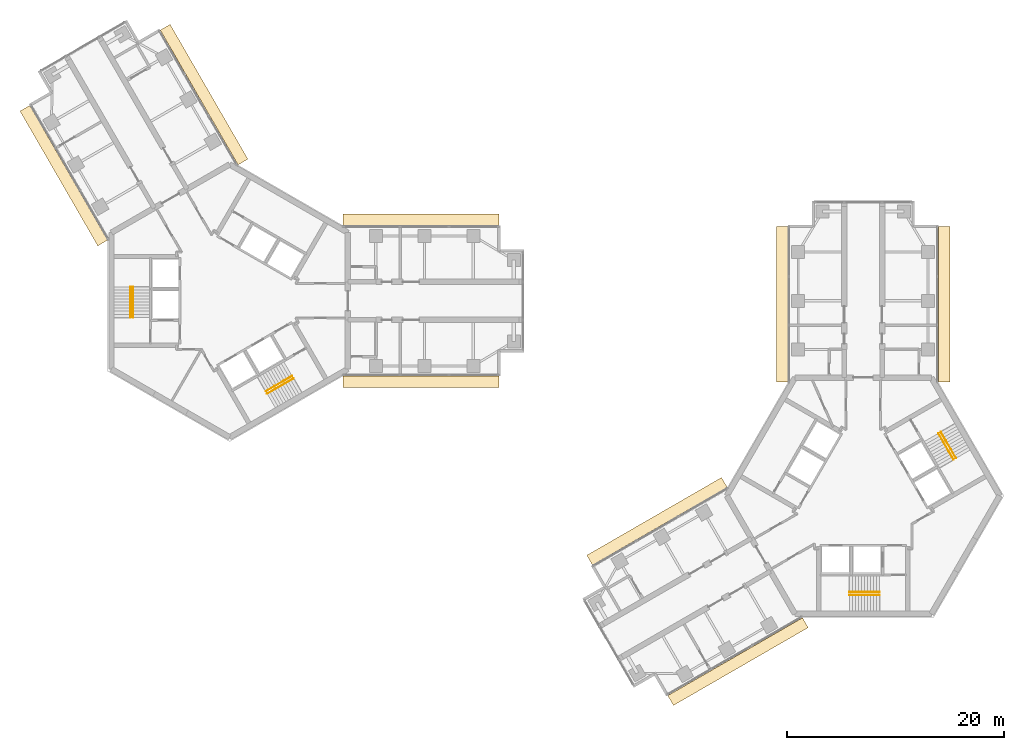
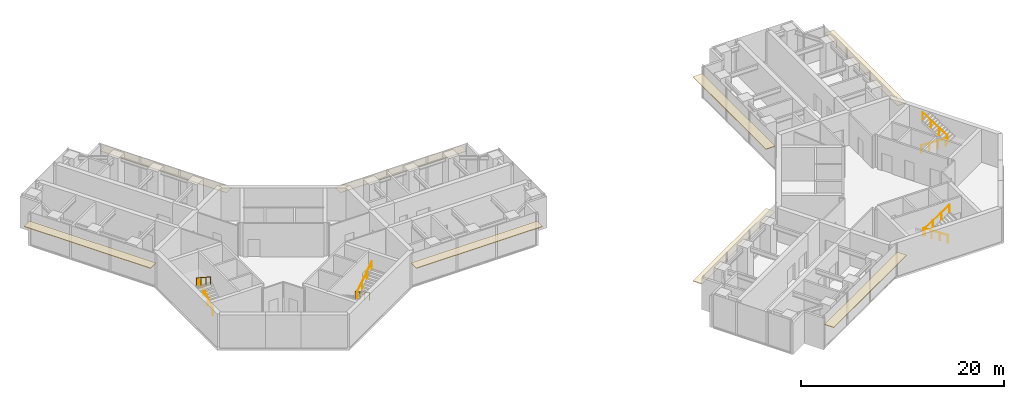
# One storey, part 17 of 17: 8 coverings, 8 railings.
"""IFC4 building model written with IfcOpenShell, lengths in metres."""

from ifc_helpers import new_model, si_unit, direction, frame, origin, origin_2d, place, context, subcontext, project, spatial, rectangle, circle, extrude, material, layer, layer_set, type_object, element, save


model = new_model("IFC4")

# Units and contexts
model_context = context("Model", 3, precision=1e-05, world=origin(), true_north=direction((0.0, 1.0)))
body_context = subcontext(model_context, "Body", "Model", "MODEL_VIEW")
ifc_project = project(units=[si_unit("LENGTHUNIT", "METRE"), si_unit("AREAUNIT", "SQUARE_METRE"), si_unit("VOLUMEUNIT", "CUBIC_METRE"), si_unit("PLANEANGLEUNIT", "RADIAN"), si_unit("MASSUNIT", "GRAM", prefix="KILO")], contexts=[model_context])

# Site, building, storey
site_placement = place(None, origin())
site = spatial("IfcSite", under=ifc_project, at=site_placement, CompositionType="ELEMENT")
building_placement = place(site_placement, origin())
building = spatial("IfcBuilding", under=site, at=building_placement, Name="Upepo Twin Towers", CompositionType="ELEMENT")
storey_placement = place(building_placement, frame((0.0, 0.0, 174.5)))
storey = spatial("IfcBuildingStorey", under=building, at=storey_placement, Name="L42", CompositionType="ELEMENT", Elevation=174.5)

# Coverings
ifc_material_1 = material(Name="Anodised aluminium, pale silver", Category="aluminium")
ifc_layer = layer(ifc_material_1, 0.080078125)
ifc_layer_set = layer_set([ifc_layer], Name="Brise-soleil blade 1050 pale aluminium")
covering_type = type_object("IfcCoveringType", Name="Brise-soleil blade 1050 pale aluminium", PredefinedType="USERDEFINED", material=ifc_layer_set)
for number, where, z_axis, x_axis, name in (
    (1, (17.66845703125, 7.4775390625, 2.909912109375), (0.0, 0.0, 1.0), (1.0, 0.0, 0.0), "T1 L42 wing A brise-soleil L"),
    (2, (17.66845703125, -7.4775390625, 2.909912109375), (0.0, 0.0, 1.0), (1.0, 0.0, 0.0), "T1 L42 wing A brise-soleil R"),
    (3, (-15.31005859375, 11.562744140625, 2.909912109375), (0.0, 0.0, 1.0), (-0.50000003023, 0.866025386331, 0.0), "T1 L42 wing B brise-soleil L"),
    (4, (-2.358642578125, 19.040283203125, 2.909912109375), (0.0, 0.0, 1.0), (-0.50000003023, 0.866025386331, 0.0), "T1 L42 wing B brise-soleil R"),
    (5, (51.0224609375, -0.33154296875, 2.909912109375), (0.0, 0.0, 1.0), (0.0, 1.0, 0.0), "T2 L42 wing A brise-soleil L"),
    (6, (65.9775390625, -0.33154296875, 2.909912109375), (0.0, 0.0, 1.0), (0.0, 1.0, 0.0), "T2 L42 wing A brise-soleil R"),
    (7, (46.937255859375, -33.31005859375, 2.909912109375), (0.0, 0.0, 1.0), (-0.866025386331, -0.50000003023, 0.0), "T2 L42 wing B brise-soleil L"),
    (8, (39.459716796875, -20.358642578125, 2.909912109375), (0.0, 0.0, 1.0), (-0.866025386331, -0.50000003023, 0.0), "T2 L42 wing B brise-soleil R"),
):
    element("IfcCovering", number, at=place(storey_placement, frame(where, z_axis=z_axis, x_axis=x_axis)), inside=storey, type_object=covering_type, Name=name, ObjectType="SUNSHADE", PredefinedType="USERDEFINED", context=body_context, shape_type="SweptSolid", body=[
        extrude(rectangle(XDim=14.36279296875, YDim=1.050048828125, at=origin_2d()), origin(), (0.0, 0.0, 1.0), 0.080078125),
    ])

# Railings
ifc_material_2 = material(Name="Stainless steel", Category="steel")
railing_type = type_object("IfcRailingType", Name="Stair handrail 900", PredefinedType="HANDRAIL", material=ifc_material_2)
railing_1_placement = place(storey_placement, frame((-8.89990234375, -1.52001953125, 0.181884765625)))
element("IfcRailing", 9, at=railing_1_placement, inside=storey, type_object=railing_type, Name="T1 stair S1 L42 handrail 1", PredefinedType="HANDRAIL", context=body_context, shape_type="SweptSolid", body=[
    extrude(circle(Radius=0.02392578125, at=origin_2d()), frame((0.0, 0.0, 0.8759765625), z_axis=(0.0, 0.838705829183, 0.544584733623), x_axis=(-1.0, 0.0, 0.0)), (0.0, 0.0, 1.0), 3.338623046875),
    extrude(circle(Radius=0.02099609375, at=origin_2d()), origin(), (0.0, 0.0, 1.0), 0.851806640625),
    extrude(circle(Radius=0.02099609375, at=origin_2d()), frame((0.0, 0.933349609375, 0.60595703125)), (0.0, 0.0, 1.0), 0.851806640625),
    extrude(circle(Radius=0.02099609375, at=origin_2d()), frame((0.0, 1.86669921875, 1.212158203125)), (0.0, 0.0, 1.0), 0.851806640625),
    extrude(circle(Radius=0.02099609375, at=origin_2d()), frame((0.0, 2.800048828125, 1.818115234375)), (0.0, 0.0, 1.0), 0.851806640625),
])
railing_2_placement = place(storey_placement, frame((-9.158447265625, 1.280029296875, 2.181884765625)))
element("IfcRailing", 10, at=railing_2_placement, inside=storey, type_object=railing_type, Name="T1 stair S1 L42 handrail 2", PredefinedType="HANDRAIL", context=body_context, shape_type="SweptSolid", body=[
    extrude(circle(Radius=0.02392578125, at=origin_2d()), frame((0.0, 0.0, 0.8759765625), z_axis=(0.0, -0.838705829183, 0.544584733623), x_axis=(1.0, 0.0, 0.0)), (0.0, 0.0, 1.0), 3.338623046875),
    extrude(circle(Radius=0.02099609375, at=origin_2d()), origin(), (0.0, 0.0, 1.0), 0.851806640625),
    extrude(circle(Radius=0.02099609375, at=origin_2d()), frame((0.0, -0.933349609375, 0.60595703125)), (0.0, 0.0, 1.0), 0.851806640625),
    extrude(circle(Radius=0.02099609375, at=origin_2d()), frame((0.0, -1.86669921875, 1.212158203125)), (0.0, 0.0, 1.0), 0.851806640625),
    extrude(circle(Radius=0.02099609375, at=origin_2d()), frame((0.0, -2.800048828125, 1.818115234375)), (0.0, 0.0, 1.0), 0.851806640625),
])
railing_3_placement = place(storey_placement, frame((5.766357421875, -6.947509765625, 0.181884765625)))
element("IfcRailing", 11, at=railing_3_placement, inside=storey, type_object=railing_type, Name="T1 stair S2 L42 handrail 1", PredefinedType="HANDRAIL", context=body_context, shape_type="SweptSolid", body=[
    extrude(circle(Radius=0.02392578125, at=origin_2d()), frame((0.0, 0.0, 0.8759765625), z_axis=(-0.726314030065, -0.419392968428, 0.544589265193), x_axis=(0.500049511043, -0.865996816683, 0.0)), (0.0, 0.0, 1.0), 3.338623046875),
    extrude(circle(Radius=0.02099609375, at=origin_2d()), origin(), (0.0, 0.0, 1.0), 0.851806640625),
    extrude(circle(Radius=0.02099609375, at=origin_2d()), frame((-0.808349609375, -0.466796875, 0.60595703125)), (0.0, 0.0, 1.0), 0.851806640625),
    extrude(circle(Radius=0.02099609375, at=origin_2d()), frame((-1.616455078125, -0.933349609375, 1.212158203125)), (0.0, 0.0, 1.0), 0.851806640625),
    extrude(circle(Radius=0.02099609375, at=origin_2d()), frame((-2.4248046875, -1.400146484375, 1.818115234375)), (0.0, 0.0, 1.0), 0.851806640625),
])
railing_4_placement = place(storey_placement, frame((3.470703125, -8.5712890625, 2.181884765625)))
element("IfcRailing", 12, at=railing_4_placement, inside=storey, type_object=railing_type, Name="T1 stair S2 L42 handrail 2", PredefinedType="HANDRAIL", context=body_context, shape_type="SweptSolid", body=[
    extrude(circle(Radius=0.02392578125, at=origin_2d()), frame((0.0, 0.0, 0.8759765625), z_axis=(0.726336304947, 0.419332699614, 0.544605966869), x_axis=(-0.49998411664, 0.866034573852, 0.0)), (0.0, 0.0, 1.0), 3.33837890625),
    extrude(circle(Radius=0.02099609375, at=origin_2d()), origin(), (0.0, 0.0, 1.0), 0.851806640625),
    extrude(circle(Radius=0.02099609375, at=origin_2d()), frame((0.808349609375, 0.466552734375, 0.60595703125)), (0.0, 0.0, 1.0), 0.851806640625),
    extrude(circle(Radius=0.02099609375, at=origin_2d()), frame((1.616455078125, 0.933349609375, 1.212158203125)), (0.0, 0.0, 1.0), 0.851806640625),
    extrude(circle(Radius=0.02099609375, at=origin_2d()), frame((2.4248046875, 1.39990234375, 1.818115234375)), (0.0, 0.0, 1.0), 0.851806640625),
])
railing_5_placement = place(storey_placement, frame((60.02001953125, -26.89990234375, 0.181884765625)))
element("IfcRailing", 13, at=railing_5_placement, inside=storey, type_object=railing_type, Name="T2 stair S1 L42 handrail 1", PredefinedType="HANDRAIL", context=body_context, shape_type="SweptSolid", body=[
    extrude(circle(Radius=0.02392578125, at=origin_2d()), frame((0.0, 0.0, 0.8759765625), z_axis=(-0.838705829183, 0.0, 0.544584733623), x_axis=(0.0, -1.0, 0.0)), (0.0, 0.0, 1.0), 3.338623046875),
    extrude(circle(Radius=0.02099609375, at=origin_2d()), origin(), (0.0, 0.0, 1.0), 0.851806640625),
    extrude(circle(Radius=0.02099609375, at=origin_2d()), frame((-0.933349609375, 0.0, 0.60595703125)), (0.0, 0.0, 1.0), 0.851806640625),
    extrude(circle(Radius=0.02099609375, at=origin_2d()), frame((-1.86669921875, 0.0, 1.212158203125)), (0.0, 0.0, 1.0), 0.851806640625),
    extrude(circle(Radius=0.02099609375, at=origin_2d()), frame((-2.800048828125, 0.0, 1.818115234375)), (0.0, 0.0, 1.0), 0.851806640625),
])
railing_6_placement = place(storey_placement, frame((57.219970703125, -27.158447265625, 2.181884765625)))
element("IfcRailing", 14, at=railing_6_placement, inside=storey, type_object=railing_type, Name="T2 stair S1 L42 handrail 2", PredefinedType="HANDRAIL", context=body_context, shape_type="SweptSolid", body=[
    extrude(circle(Radius=0.02392578125, at=origin_2d()), frame((0.0, 0.0, 0.8759765625), z_axis=(0.838705829183, 0.0, 0.544584733623), x_axis=(0.0, 1.0, 0.0)), (0.0, 0.0, 1.0), 3.338623046875),
    extrude(circle(Radius=0.02099609375, at=origin_2d()), origin(), (0.0, 0.0, 1.0), 0.851806640625),
    extrude(circle(Radius=0.02099609375, at=origin_2d()), frame((0.933349609375, 0.0, 0.60595703125)), (0.0, 0.0, 1.0), 0.851806640625),
    extrude(circle(Radius=0.02099609375, at=origin_2d()), frame((1.86669921875, 0.0, 1.212158203125)), (0.0, 0.0, 1.0), 0.851806640625),
    extrude(circle(Radius=0.02099609375, at=origin_2d()), frame((2.800048828125, 0.0, 1.818115234375)), (0.0, 0.0, 1.0), 0.851806640625),
])
railing_7_placement = place(storey_placement, frame((65.447509765625, -12.233642578125, 0.181884765625)))
element("IfcRailing", 15, at=railing_7_placement, inside=storey, type_object=railing_type, Name="T2 stair S2 L42 handrail 1", PredefinedType="HANDRAIL", context=body_context, shape_type="SweptSolid", body=[
    extrude(circle(Radius=0.02392578125, at=origin_2d()), frame((0.0, 0.0, 0.8759765625), z_axis=(0.419392968428, -0.726314030065, 0.544589265193), x_axis=(0.865996816683, 0.500049511043, 0.0)), (0.0, 0.0, 1.0), 3.338623046875),
    extrude(circle(Radius=0.02099609375, at=origin_2d()), origin(), (0.0, 0.0, 1.0), 0.851806640625),
    extrude(circle(Radius=0.02099609375, at=origin_2d()), frame((0.466796875, -0.808349609375, 0.60595703125)), (0.0, 0.0, 1.0), 0.851806640625),
    extrude(circle(Radius=0.02099609375, at=origin_2d()), frame((0.933349609375, -1.616455078125, 1.212158203125)), (0.0, 0.0, 1.0), 0.851806640625),
    extrude(circle(Radius=0.02099609375, at=origin_2d()), frame((1.400146484375, -2.4248046875, 1.818115234375)), (0.0, 0.0, 1.0), 0.851806640625),
])
railing_8_placement = place(storey_placement, frame((67.0712890625, -14.529296875, 2.181884765625)))
element("IfcRailing", 16, at=railing_8_placement, inside=storey, type_object=railing_type, Name="T2 stair S2 L42 handrail 2", PredefinedType="HANDRAIL", context=body_context, shape_type="SweptSolid", body=[
    extrude(circle(Radius=0.02392578125, at=origin_2d()), frame((0.0, 0.0, 0.8759765625), z_axis=(-0.419332699614, 0.726336304947, 0.544605966869), x_axis=(-0.866034573852, -0.49998411664, 0.0)), (0.0, 0.0, 1.0), 3.33837890625),
    extrude(circle(Radius=0.02099609375, at=origin_2d()), origin(), (0.0, 0.0, 1.0), 0.851806640625),
    extrude(circle(Radius=0.02099609375, at=origin_2d()), frame((-0.466552734375, 0.808349609375, 0.60595703125)), (0.0, 0.0, 1.0), 0.851806640625),
    extrude(circle(Radius=0.02099609375, at=origin_2d()), frame((-0.933349609375, 1.616455078125, 1.212158203125)), (0.0, 0.0, 1.0), 0.851806640625),
    extrude(circle(Radius=0.02099609375, at=origin_2d()), frame((-1.39990234375, 2.4248046875, 1.818115234375)), (0.0, 0.0, 1.0), 0.851806640625),
])

save(model, "model.ifc")
